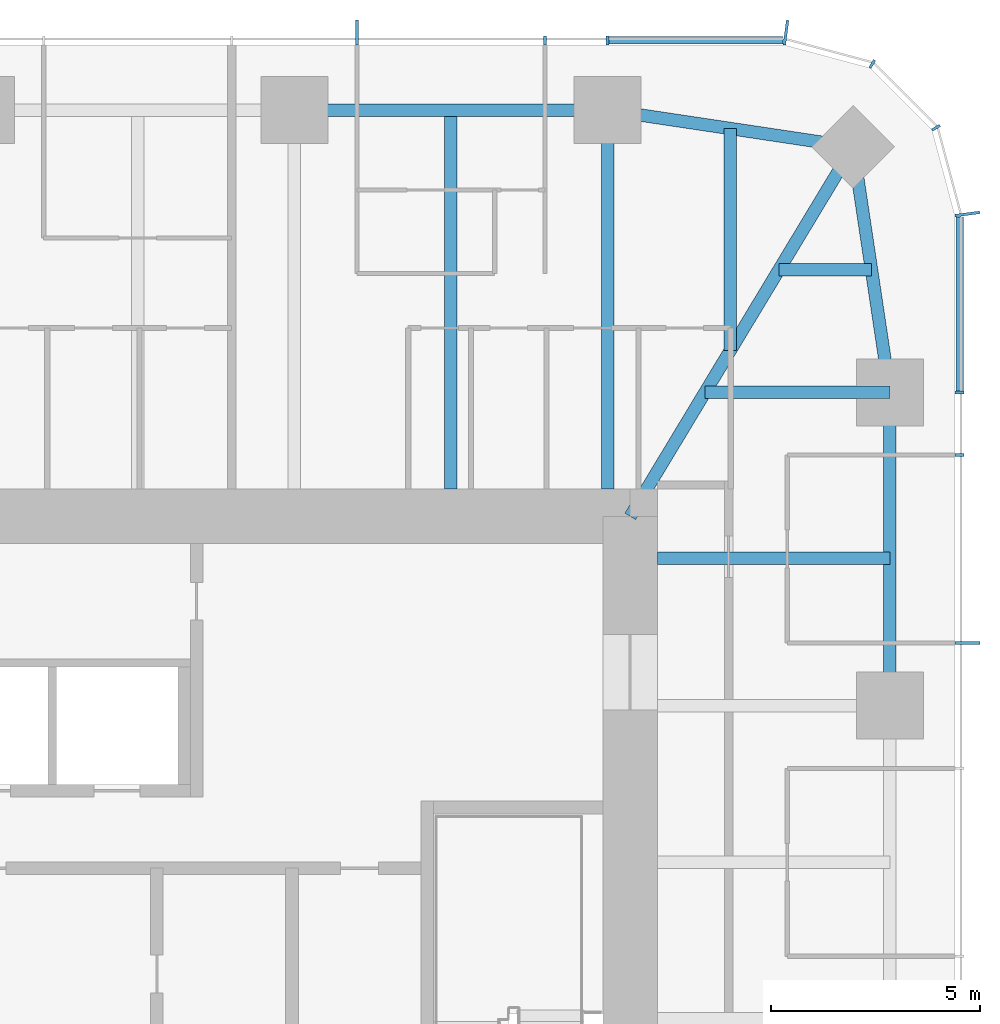
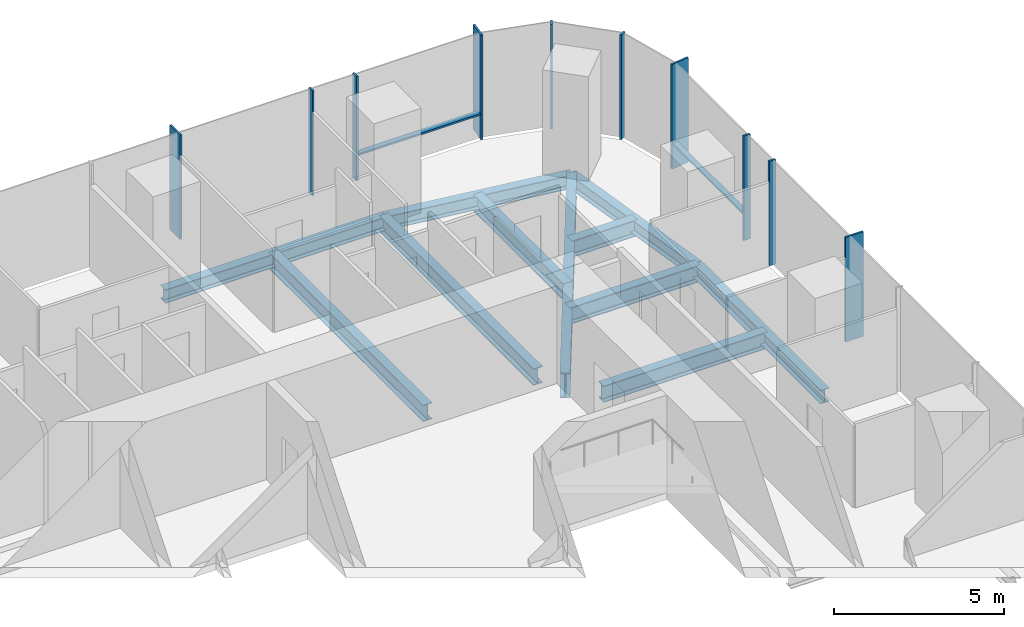
# One storey, part 6 of 12: 12 members, 11 beams, 3 elements without a shape of their own.
"""IFC4 building model written with IfcOpenShell, lengths in metres."""

from ifc_helpers import new_model, si_unit, direction, frame, origin, origin_2d, place, context, subcontext, project, spatial, rectangle, i_section, extrude, material, material_profile, profile_set, type_object, element, aggregate, save


model = new_model("IFC4")

# Units and contexts
model_context = context("Model", 3, precision=1e-05, world=origin(), true_north=direction((0.0, 1.0)))
body_context = subcontext(model_context, "Body", "Model", "MODEL_VIEW")
ifc_project = project(units=[si_unit("LENGTHUNIT", "METRE"), si_unit("AREAUNIT", "SQUARE_METRE"), si_unit("VOLUMEUNIT", "CUBIC_METRE"), si_unit("PLANEANGLEUNIT", "RADIAN"), si_unit("MASSUNIT", "GRAM", prefix="KILO")], contexts=[model_context])

# Site, building, storey
site_placement = place(None, origin())
site = spatial("IfcSite", under=ifc_project, at=site_placement, CompositionType="ELEMENT")
building_placement = place(site_placement, origin())
building = spatial("IfcBuilding", under=site, at=building_placement, Name="Khuree Lantern Residences", CompositionType="ELEMENT")
storey_placement = place(building_placement, frame((0.0, 0.0, 327.0)))
storey = spatial("IfcBuildingStorey", under=building, at=storey_placement, Name="L82", CompositionType="ELEMENT", Elevation=327.0)

# Beams
ifc_material_1 = material(Name="Steel S355", Category="steel")
ifc_material_profile_1 = material_profile(ifc_material_1, i_section(OverallWidth=0.300048828125, OverallDepth=0.590087890625, WebThickness=0.012939453125, FlangeThickness=0.02490234375, FilletRadius=0.027099609375, at=origin_2d()), Name="HE 600 A")
ifc_profile_set_1 = profile_set([ifc_material_profile_1], Name="Steel S355")
beam_type_1 = type_object("IfcBeamType", Name="B-43 SECONDARY BEAM HE 600 A", PredefinedType="BEAM", material=ifc_profile_set_1)
beam_1_placement = place(storey_placement, frame((11.219970703125, 21.699951171875, -0.544921875), z_axis=(0.0, -1.0, 0.0), x_axis=(1.0, 0.0, 0.0)))
element("IfcBeam", 1, at=beam_1_placement, inside=storey, type_object=beam_type_1, Name="Secondary beam N4", PredefinedType="BEAM", context=body_context, shape_type="SweptSolid", body=[
    extrude(i_section(OverallWidth=0.300048828125, OverallDepth=0.590087890625, WebThickness=0.012939453125, FlangeThickness=0.02490234375, FilletRadius=0.027099609375, at=origin_2d()), origin(), (0.0, 0.0, 1.0), 9.050048828125),
])
beam_2_placement = place(storey_placement, frame((17.890625, 21.2607421875, -0.544921875), z_axis=(0.0, -1.0, 0.0), x_axis=(1.0, 0.0, 0.0)))
element("IfcBeam", 2, at=beam_2_placement, inside=storey, type_object=beam_type_1, Name="Secondary beam N5", PredefinedType="BEAM", context=body_context, shape_type="SweptSolid", body=[
    extrude(i_section(OverallWidth=0.300048828125, OverallDepth=0.590087890625, WebThickness=0.012939453125, FlangeThickness=0.02490234375, FilletRadius=0.027099609375, at=origin_2d()), origin(), (0.0, 0.0, 1.0), 5.297607421875),
])
beam_3_placement = place(storey_placement, frame((21.2607421875, 17.890625, -0.544921875), z_axis=(-1.0, 0.0, 0.0), x_axis=(0.0, -1.0, 0.0)))
element("IfcBeam", 3, at=beam_3_placement, inside=storey, type_object=beam_type_1, Name="Secondary beam E1", PredefinedType="BEAM", context=body_context, shape_type="SweptSolid", body=[
    extrude(i_section(OverallWidth=0.300048828125, OverallDepth=0.590087890625, WebThickness=0.012939453125, FlangeThickness=0.02490234375, FilletRadius=0.027099609375, at=origin_2d()), origin(), (0.0, 0.0, 1.0), 2.207275390625),
])
beam_4_placement = place(storey_placement, frame((21.699951171875, 11.0, -0.544921875), z_axis=(-1.0, 0.0, 0.0), x_axis=(0.0, -1.0, 0.0)))
element("IfcBeam", 4, at=beam_4_placement, inside=storey, type_object=beam_type_1, Name="Secondary beam E2", PredefinedType="BEAM", context=body_context, shape_type="SweptSolid", body=[
    extrude(i_section(OverallWidth=0.300048828125, OverallDepth=0.590087890625, WebThickness=0.012939453125, FlangeThickness=0.02490234375, FilletRadius=0.027099609375, at=origin_2d()), origin(), (0.0, 0.0, 1.0), 5.550048828125),
])
ifc_material_profile_2 = material_profile(ifc_material_1, i_section(OverallWidth=0.300048828125, OverallDepth=0.489990234375, WebThickness=0.011962890625, FlangeThickness=0.02294921875, FilletRadius=0.027099609375, at=origin_2d()), Name="HE 500 A")
ifc_profile_set_2 = profile_set([ifc_material_profile_2], Name="Steel S355")
beam_type_2 = type_object("IfcBeamType", Name="E-43 SPANDREL BEAM HE 500 A", PredefinedType="SPANDREL", material=ifc_profile_set_2)
beam_5_placement = place(storey_placement, frame((7.47998046875, 21.699951171875, -0.4951171875), z_axis=(1.0, 0.0, 0.0), x_axis=(0.0, 1.0, 0.0)))
element("IfcBeam", 5, at=beam_5_placement, inside=storey, type_object=beam_type_2, Name="Spandrel beam N4", PredefinedType="SPANDREL", context=body_context, shape_type="SweptSolid", body=[
    extrude(i_section(OverallWidth=0.300048828125, OverallDepth=0.489990234375, WebThickness=0.011962890625, FlangeThickness=0.02294921875, FilletRadius=0.027099609375, at=origin_2d()), origin(), (0.0, 0.0, 1.0), 7.47998046875),
])
for number, where, z_axis, x_axis, name in (
    (6, (14.9599609375, 21.699951171875, -0.4951171875), (0.988949643299, -0.148251822985, 0.0), (0.148251822985, 0.988949643299, 0.0), "Spandrel beam N5"),
    (7, (20.8212890625, 20.8212890625, -0.4951171875), (0.148251822985, -0.988949643299, 0.0), (0.988949643299, 0.148251822985, 0.0), "Spandrel beam E1"),
):
    element("IfcBeam", number, at=place(storey_placement, frame(where, z_axis=z_axis, x_axis=x_axis)), inside=storey, type_object=beam_type_2, Name=name, PredefinedType="SPANDREL", context=body_context, shape_type="SweptSolid", body=[
        extrude(i_section(OverallWidth=0.300048828125, OverallDepth=0.489990234375, WebThickness=0.011962890625, FlangeThickness=0.02294921875, FilletRadius=0.027099609375, at=origin_2d()), origin(), (0.0, 0.0, 1.0), 5.9267578125),
    ])
beam_6_placement = place(storey_placement, frame((21.699951171875, 14.9599609375, -0.4951171875), z_axis=(0.0, -1.0, 0.0), x_axis=(1.0, 0.0, 0.0)))
element("IfcBeam", 8, at=beam_6_placement, inside=storey, type_object=beam_type_2, Name="Spandrel beam E2", PredefinedType="SPANDREL", context=body_context, shape_type="SweptSolid", body=[
    extrude(i_section(OverallWidth=0.300048828125, OverallDepth=0.489990234375, WebThickness=0.011962890625, FlangeThickness=0.02294921875, FilletRadius=0.027099609375, at=origin_2d()), origin(), (0.0, 0.0, 1.0), 7.47998046875),
])

# Curtain wall, member
ifc_material_2 = material(Name="Bronze anodised aluminium", Category="aluminium")
curtain_wall_type_1 = type_object("IfcCurtainWallType", Name="CW-T1 TOWER FACE CURTAIN WALL", PredefinedType="USERDEFINED", material=ifc_material_2)
curtain_wall_1_placement = place(storey_placement, origin())
curtain_wall_1 = element("IfcCurtainWall", 9, at=curtain_wall_1_placement, inside=storey, type_object=curtain_wall_type_1, Name="L82 EAST FACE CURTAIN WALL", ObjectType="Stick-built curtain wall", PredefinedType="USERDEFINED")
ifc_material_profile_3 = material_profile(ifc_material_2, rectangle(XDim=0.06494140625, YDim=0.60009765625, at=origin_2d()), Name="F1 65X600")
ifc_profile_set_3 = profile_set([ifc_material_profile_3], Name="Bronze anodised aluminium")
member_type_1 = type_object("IfcMemberType", Name="F1 BRONZE FIN MULLION TOWER 65X600", PredefinedType="MULLION", material=ifc_profile_set_3)
member_1_placement = place(storey_placement, frame((23.550048828125, 8.97607421875, 0.0), z_axis=(0.0, 0.0, 1.0), x_axis=(0.0, 1.0, 0.0)))
member_1 = element("IfcMember", 10, at=member_1_placement, type_object=member_type_1, Name="L82 EAST FACE FIN MULLION 12", PredefinedType="MULLION", context=body_context, shape_type="SweptSolid", body=[
    extrude(rectangle(XDim=0.06494140625, YDim=0.60009765625, at=origin_2d()), origin(), (0.0, 0.0, 1.0), 3.75),
])

curtain_wall_type_2 = type_object("IfcCurtainWallType", Name="CW-T2 TOWER CORNER CURTAIN WALL", PredefinedType="USERDEFINED", material=ifc_material_2)
curtain_wall_2_placement = place(storey_placement, origin())
curtain_wall_2 = element("IfcCurtainWall", 11, at=curtain_wall_2_placement, inside=storey, type_object=curtain_wall_type_2, Name="L82 NORTH-EAST CORNER CURTAIN WALL", ObjectType="Faceted corner curtain wall", PredefinedType="USERDEFINED")
member_2_placement = place(storey_placement, frame((23.550048828125, 19.2197265625, 0.0), z_axis=(0.0, 0.0, 1.0), x_axis=(-0.130526125236, 0.991444870192, 0.0)))
member_2 = element("IfcMember", 12, at=member_2_placement, type_object=member_type_1, Name="L82 NORTH-EAST CORNER FIN MULLION 15", PredefinedType="MULLION", context=body_context, shape_type="SweptSolid", body=[
    extrude(rectangle(XDim=0.06494140625, YDim=0.60009765625, at=origin_2d()), origin(), (0.0, 0.0, 1.0), 3.75),
])

# Curtain wall, members
curtain_wall_3_placement = place(storey_placement, origin())
curtain_wall_3 = element("IfcCurtainWall", 13, at=curtain_wall_3_placement, inside=storey, type_object=curtain_wall_type_1, Name="L82 NORTH FACE CURTAIN WALL", ObjectType="Stick-built curtain wall", PredefinedType="USERDEFINED")
member_3_placement = place(storey_placement, frame((19.2197265625, 23.550048828125, 0.0), z_axis=(0.0, 0.0, 1.0), x_axis=(-0.991444870192, 0.130526125236, 0.0)))
member_3 = element("IfcMember", 14, at=member_3_placement, type_object=member_type_1, Name="L82 NORTH FACE FIN MULLION 18", PredefinedType="MULLION", context=body_context, shape_type="SweptSolid", body=[
    extrude(rectangle(XDim=0.06494140625, YDim=0.60009765625, at=origin_2d()), origin(), (0.0, 0.0, 1.0), 3.75),
])
member_4_placement = place(storey_placement, frame((8.97607421875, 23.550048828125, 0.0), z_axis=(0.0, 0.0, 1.0), x_axis=(-1.0, 0.0, 0.0)))
member_4 = element("IfcMember", 15, at=member_4_placement, type_object=member_type_1, Name="L82 NORTH FACE FIN MULLION 21", PredefinedType="MULLION", context=body_context, shape_type="SweptSolid", body=[
    extrude(rectangle(XDim=0.06494140625, YDim=0.60009765625, at=origin_2d()), origin(), (0.0, 0.0, 1.0), 3.75),
])

# Beams
ifc_material_profile_4 = material_profile(ifc_material_1, i_section(OverallWidth=0.300048828125, OverallDepth=0.60009765625, WebThickness=0.015380859375, FlangeThickness=0.030029296875, FilletRadius=0.027099609375, at=origin_2d()), Name="HE 600 B")
ifc_profile_set_4 = profile_set([ifc_material_profile_4], Name="Steel S355")
beam_type_3 = type_object("IfcBeamType", Name="G-43 GIRDER HE 600 B", PredefinedType="BEAM", material=ifc_profile_set_4)
beam_7_placement = place(storey_placement, frame((14.9599609375, 21.699951171875, -0.550048828125), z_axis=(0.0, -1.0, 0.0), x_axis=(1.0, 0.0, 0.0)))
element("IfcBeam", 16, at=beam_7_placement, inside=storey, type_object=beam_type_3, Name="Girder N5", PredefinedType="BEAM", context=body_context, shape_type="SweptSolid", body=[
    extrude(i_section(OverallWidth=0.300048828125, OverallDepth=0.60009765625, WebThickness=0.015380859375, FlangeThickness=0.030029296875, FilletRadius=0.027099609375, at=origin_2d()), origin(), (0.0, 0.0, 1.0), 9.050048828125),
])
beam_8_placement = place(storey_placement, frame((21.699951171875, 14.9599609375, -0.550048828125), z_axis=(-1.0, 0.0, 0.0), x_axis=(0.0, -1.0, 0.0)))
element("IfcBeam", 17, at=beam_8_placement, inside=storey, type_object=beam_type_3, Name="Girder E1", PredefinedType="BEAM", context=body_context, shape_type="SweptSolid", body=[
    extrude(i_section(OverallWidth=0.300048828125, OverallDepth=0.60009765625, WebThickness=0.015380859375, FlangeThickness=0.030029296875, FilletRadius=0.027099609375, at=origin_2d()), origin(), (0.0, 0.0, 1.0), 4.414306640625),
])
ifc_material_profile_5 = material_profile(ifc_material_1, i_section(OverallWidth=0.300048828125, OverallDepth=0.89990234375, WebThickness=0.0185546875, FlangeThickness=0.034912109375, FilletRadius=0.030029296875, at=origin_2d()), Name="HE 900 B")
ifc_profile_set_5 = profile_set([ifc_material_profile_5], Name="Steel S355")
beam_type_4 = type_object("IfcBeamType", Name="GD-43 CORNER GIRDER HE 900 B", PredefinedType="BEAM", material=ifc_profile_set_5)
beam_9_placement = place(storey_placement, frame((20.8212890625, 20.8212890625, -0.699951171875), z_axis=(-0.516529577604, -0.856269347495, 0.0), x_axis=(0.856269347495, -0.516529577604, 0.0)))
element("IfcBeam", 18, at=beam_9_placement, inside=storey, type_object=beam_type_4, Name="Corner girder NE", PredefinedType="BEAM", context=body_context, shape_type="SweptSolid", body=[
    extrude(i_section(OverallWidth=0.300048828125, OverallDepth=0.89990234375, WebThickness=0.0185546875, FlangeThickness=0.034912109375, FilletRadius=0.030029296875, at=origin_2d()), origin(), (0.0, 0.0, 1.0), 10.302001953125),
])

# Member
ifc_material_profile_6 = material_profile(ifc_material_2, rectangle(XDim=0.06494140625, YDim=0.219970703125, at=origin_2d()), Name="M1 65X220")
ifc_profile_set_6 = profile_set([ifc_material_profile_6], Name="Bronze anodised aluminium")
member_type_2 = type_object("IfcMemberType", Name="M1 BRONZE MULLION TOWER 65X220", PredefinedType="MULLION", material=ifc_profile_set_6)
member_5_placement = place(storey_placement, frame((23.360107421875, 13.464111328125, 0.0), z_axis=(0.0, 0.0, 1.0), x_axis=(0.0, 1.0, 0.0)))
member_5 = element("IfcMember", 19, at=member_5_placement, type_object=member_type_2, Name="L82 EAST FACE MULLION 13", PredefinedType="MULLION", context=body_context, shape_type="SweptSolid", body=[
    extrude(rectangle(XDim=0.06494140625, YDim=0.219970703125, at=origin_2d()), origin(), (0.0, 0.0, 1.0), 3.75),
])

member_6_placement = place(storey_placement, frame((23.360107421875, 14.9599609375, 0.0), z_axis=(0.0, 0.0, 1.0), x_axis=(0.0, 1.0, 0.0)))
member_6 = element("IfcMember", 20, at=member_6_placement, type_object=member_type_2, Name="L82 EAST FACE MULLION 14", PredefinedType="MULLION", context=body_context, shape_type="SweptSolid", body=[
    extrude(rectangle(XDim=0.06494140625, YDim=0.219970703125, at=origin_2d()), origin(), (0.0, 0.0, 1.0), 3.75),
])

member_7_placement = place(storey_placement, frame((22.802734375, 21.280029296875, 0.0), z_axis=(0.0, 0.0, 1.0), x_axis=(-0.49999994149, 0.866025437565, 0.0)))
member_7 = element("IfcMember", 21, at=member_7_placement, type_object=member_type_2, Name="L82 NORTH-EAST CORNER MULLION 16", PredefinedType="MULLION", context=body_context, shape_type="SweptSolid", body=[
    extrude(rectangle(XDim=0.06494140625, YDim=0.219970703125, at=origin_2d()), origin(), (0.0, 0.0, 1.0), 3.75),
])

member_8_placement = place(storey_placement, frame((21.280029296875, 22.802734375, 0.0), z_axis=(0.0, 0.0, 1.0), x_axis=(-0.866025437565, 0.49999994149, 0.0)))
member_8 = element("IfcMember", 22, at=member_8_placement, type_object=member_type_2, Name="L82 NORTH-EAST CORNER MULLION 17", PredefinedType="MULLION", context=body_context, shape_type="SweptSolid", body=[
    extrude(rectangle(XDim=0.06494140625, YDim=0.219970703125, at=origin_2d()), origin(), (0.0, 0.0, 1.0), 3.75),
])

aggregate(curtain_wall_2, [member_2, member_7, member_8])

member_9_placement = place(storey_placement, frame((14.9599609375, 23.360107421875, 0.0), z_axis=(0.0, 0.0, 1.0), x_axis=(-1.0, 0.0, 0.0)))
member_9 = element("IfcMember", 23, at=member_9_placement, type_object=member_type_2, Name="L82 NORTH FACE MULLION 19", PredefinedType="MULLION", context=body_context, shape_type="SweptSolid", body=[
    extrude(rectangle(XDim=0.06494140625, YDim=0.219970703125, at=origin_2d()), origin(), (0.0, 0.0, 1.0), 3.75),
])

member_10_placement = place(storey_placement, frame((13.464111328125, 23.360107421875, 0.0), z_axis=(0.0, 0.0, 1.0), x_axis=(-1.0, 0.0, 0.0)))
member_10 = element("IfcMember", 24, at=member_10_placement, type_object=member_type_2, Name="L82 NORTH FACE MULLION 20", PredefinedType="MULLION", context=body_context, shape_type="SweptSolid", body=[
    extrude(rectangle(XDim=0.06494140625, YDim=0.219970703125, at=origin_2d()), origin(), (0.0, 0.0, 1.0), 3.75),
])

ifc_material_profile_7 = material_profile(ifc_material_2, rectangle(XDim=0.179931640625, YDim=0.06494140625, at=origin_2d()), Name="T1 180X65")
ifc_profile_set_7 = profile_set([ifc_material_profile_7], Name="Bronze anodised aluminium")
member_type_3 = type_object("IfcMemberType", Name="TRANSOM T1 TOWER 180X65", PredefinedType="USERDEFINED", material=ifc_profile_set_7)
member_11_placement = place(storey_placement, frame((23.3701171875, 14.992431640625, 0.89990234375), z_axis=(0.0, 1.0, 0.0), x_axis=(-1.0, 0.0, 0.0)))
member_11 = element("IfcMember", 25, at=member_11_placement, type_object=member_type_3, Name="L82 EAST FACE TRANSOM 14.1", ObjectType="Transom", PredefinedType="USERDEFINED", context=body_context, shape_type="SweptSolid", body=[
    extrude(rectangle(XDim=0.179931640625, YDim=0.06494140625, at=origin_2d()), origin(), (0.0, 0.0, 1.0), 4.158935546875),
])

aggregate(curtain_wall_1, [member_1, member_5, member_6, member_11])

member_12_placement = place(storey_placement, frame((19.1513671875, 23.3701171875, 0.89990234375), z_axis=(-1.0, 0.0, 0.0), x_axis=(0.0, -1.0, 0.0)))
member_12 = element("IfcMember", 26, at=member_12_placement, type_object=member_type_3, Name="L82 NORTH FACE TRANSOM 18.1", ObjectType="Transom", PredefinedType="USERDEFINED", context=body_context, shape_type="SweptSolid", body=[
    extrude(rectangle(XDim=0.179931640625, YDim=0.06494140625, at=origin_2d()), origin(), (0.0, 0.0, 1.0), 4.158935546875),
])

aggregate(curtain_wall_3, [member_3, member_9, member_10, member_4, member_12])

save(model, "model.ifc")
